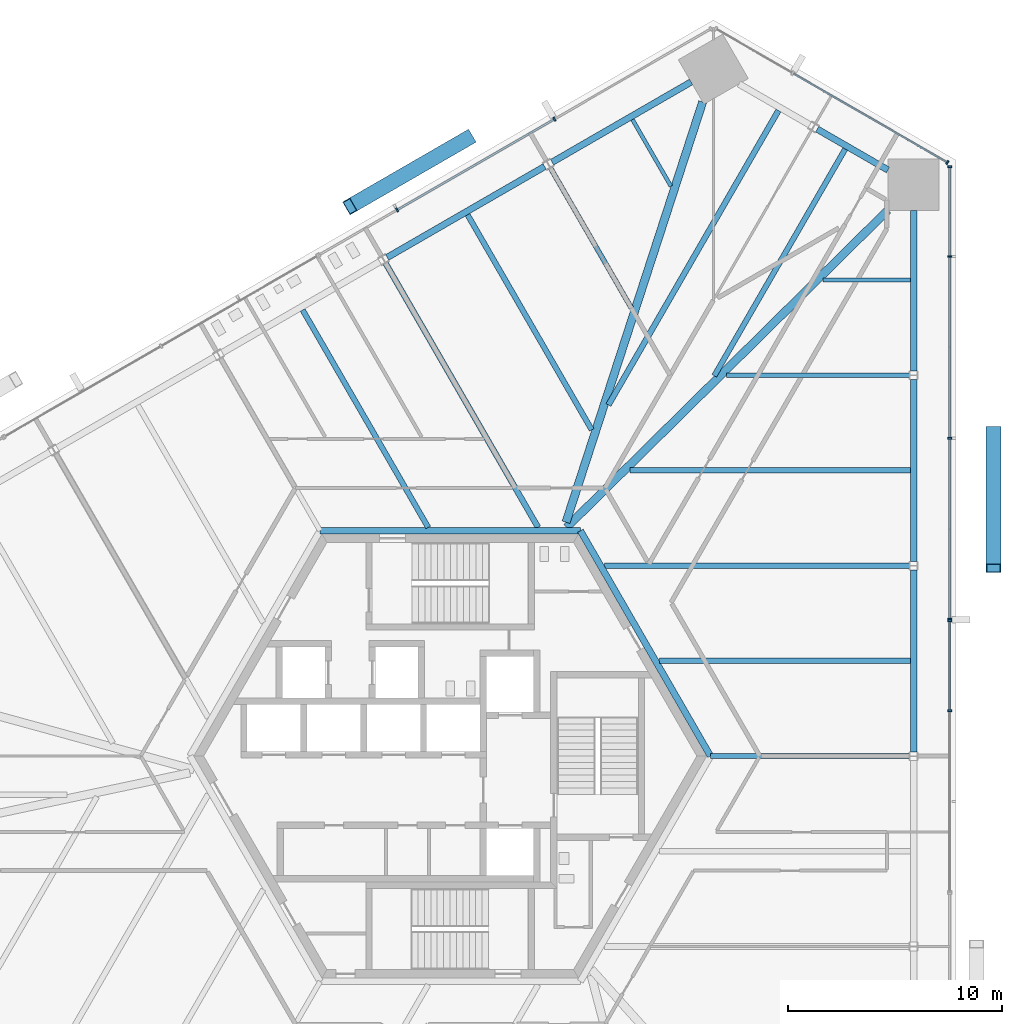
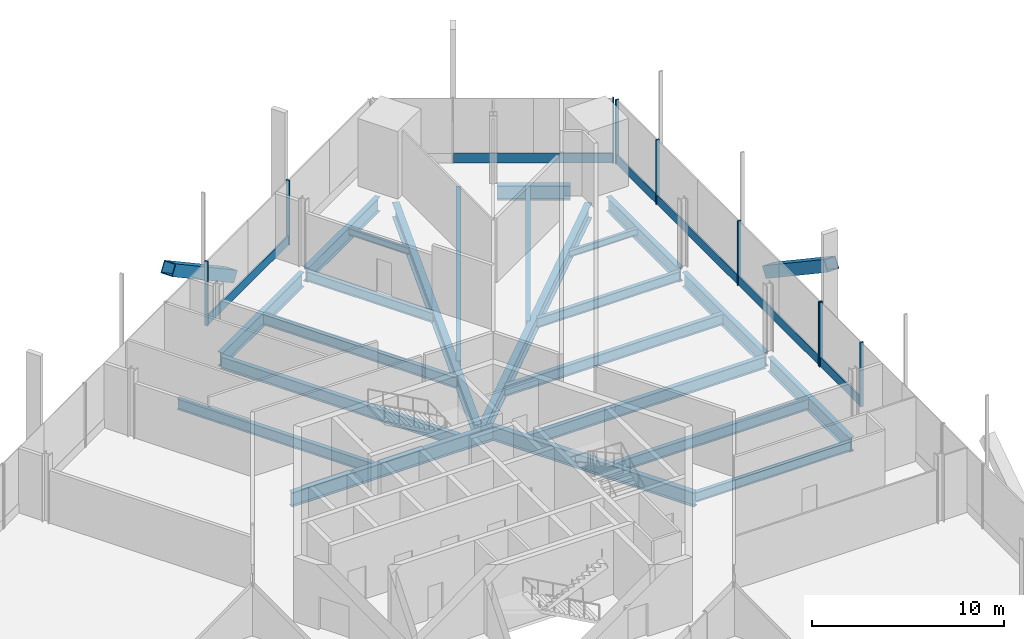
# One storey, part 7 of 19: 23 beams, 17 members, 4 elements without a shape of their own.
"""IFC4 building model written with IfcOpenShell, lengths in metres."""

from ifc_helpers import new_model, si_unit, direction, frame, origin, origin_2d, place, context, subcontext, project, spatial, rectangle, hollow_rectangle, i_section, extrude, source, transform, mapped, material, material_profile, profile_set, type_object, element, aggregate, save


model = new_model("IFC4")

# Units and contexts
model_context = context("Model", 3, precision=1e-05, world=origin(), true_north=direction((0.0, 1.0)))
body_context = subcontext(model_context, "Body", "Model", "MODEL_VIEW")
ifc_project = project(units=[si_unit("LENGTHUNIT", "METRE"), si_unit("AREAUNIT", "SQUARE_METRE"), si_unit("VOLUMEUNIT", "CUBIC_METRE"), si_unit("PLANEANGLEUNIT", "RADIAN"), si_unit("MASSUNIT", "GRAM", prefix="KILO")], contexts=[model_context])

# Site, building, storey
site_placement = place(None, origin())
site = spatial("IfcSite", under=ifc_project, at=site_placement, CompositionType="ELEMENT")
building_placement = place(site_placement, origin())
building = spatial("IfcBuilding", under=site, at=building_placement, Name="Triune Harvest Tower", CompositionType="ELEMENT")
storey_placement = place(building_placement, frame((0.0, 0.0, 24.60009765625)))
storey = spatial("IfcBuildingStorey", under=building, at=storey_placement, Name="L05", CompositionType="ELEMENT", Elevation=24.60009765625)

# Beams
ifc_material_1 = material(Name="Steel ASTM A992 Gr 50", Category="steel")
ifc_material_profile_1 = material_profile(ifc_material_1, i_section(OverallWidth=0.3046875, OverallDepth=0.914306640625, WebThickness=0.0166015625, FlangeThickness=0.02587890625, at=origin_2d()), Name="W36x160")
ifc_profile_set_1 = profile_set([ifc_material_profile_1], Name="Steel ASTM A992 Gr 50")
beam_type_1 = type_object("IfcBeamType", Name="CG-1 Core ring girder W36x160", PredefinedType="BEAM", material=ifc_profile_set_1)
shared_shape_1 = source(origin(), body_context, "Body", "SweptSolid", [
    extrude(i_section(OverallWidth=0.3046875, OverallDepth=0.914306640625, WebThickness=0.0166015625, FlangeThickness=0.02587890625, at=origin_2d()), origin(), (0.0, 0.0, 1.0), 12.176025390625),
])
beam_1_placement = place(storey_placement, frame((12.176025390625, 0.0, -0.6572265625), z_axis=(-0.5000099932, 0.866019634131, 0.0), x_axis=(-0.866019634131, -0.5000099932, 0.0)))
element("IfcBeam", 1, at=beam_1_placement, inside=storey, type_object=beam_type_1, Name="beam/L05/CG1", PredefinedType="BEAM", context=body_context, shape_type="MappedRepresentation", body=[
    mapped(shared_shape_1, transform((0.0, 0.0, 0.0), scale=1.0)),
])
shared_shape_2 = source(origin(), body_context, "Body", "SweptSolid", [
    extrude(i_section(OverallWidth=0.3046875, OverallDepth=0.914306640625, WebThickness=0.0166015625, FlangeThickness=0.02587890625, at=origin_2d()), origin(), (0.0, 0.0, 1.0), 12.17578125),
])
beam_2_placement = place(storey_placement, frame((6.087890625, 10.544677734375, -0.6572265625), z_axis=(-1.0, 0.0, 0.0), x_axis=(0.0, -1.0, 0.0)))
element("IfcBeam", 2, at=beam_2_placement, inside=storey, type_object=beam_type_1, Name="beam/L05/CG2", PredefinedType="BEAM", context=body_context, shape_type="MappedRepresentation", body=[
    mapped(shared_shape_2, transform((0.0, 0.0, 0.0), scale=1.0)),
])
ifc_material_2 = material(Name="Steel ASTM A992 Gr 50", Category="steel")
ifc_material_profile_2 = material_profile(ifc_material_2, i_section(OverallWidth=0.383544921875, OverallDepth=0.9423828125, WebThickness=0.022216796875, FlangeThickness=0.039794921875, at=origin_2d()), Name="W36x232")
ifc_profile_set_2 = profile_set([ifc_material_profile_2], Name="Steel ASTM A992 Gr 50")
beam_type_2 = type_object("IfcBeamType", Name="HG-1 Hip girder W36x232", PredefinedType="BEAM", material=ifc_profile_set_2)
shared_shape_3 = source(origin(), body_context, "Body", "SweptSolid", [
    extrude(i_section(OverallWidth=0.383544921875, OverallDepth=0.9423828125, WebThickness=0.022216796875, FlangeThickness=0.039794921875, at=origin_2d()), origin(), (0.0, 0.0, 1.0), 21.132568359375),
])
beam_3_placement = place(storey_placement, frame((20.4794921875, 25.545166015625, -0.67138671875), z_axis=(-0.711563602244, -0.7026216905, 0.0), x_axis=(0.7026216905, -0.711563602244, 0.0)))
element("IfcBeam", 3, at=beam_3_placement, inside=storey, type_object=beam_type_2, Name="beam/L05/HG2", PredefinedType="BEAM", context=body_context, shape_type="MappedRepresentation", body=[
    mapped(shared_shape_3, transform((0.0, 0.0, 0.0), scale=1.0)),
])
shared_shape_4 = source(origin(), body_context, "Body", "SweptSolid", [
    extrude(i_section(OverallWidth=0.383544921875, OverallDepth=0.9423828125, WebThickness=0.022216796875, FlangeThickness=0.039794921875, at=origin_2d()), origin(), (0.0, 0.0, 1.0), 20.676025390625),
])
beam_4_placement = place(storey_placement, frame((11.809814453125, 30.6044921875, -0.67138671875), z_axis=(-0.309191000288, -0.950999960747, 0.0), x_axis=(0.950999960747, -0.309191000288, 0.0)))
element("IfcBeam", 4, at=beam_4_placement, inside=storey, type_object=beam_type_2, Name="beam/L05/HG3", PredefinedType="BEAM", context=body_context, shape_type="MappedRepresentation", body=[
    mapped(shared_shape_4, transform((0.0, 0.0, 0.0), scale=1.0)),
])
ifc_material_3 = material(Name="Steel ASTM A992 Gr 50", Category="steel")
ifc_material_profile_3 = material_profile(ifc_material_3, i_section(OverallWidth=0.2666015625, OverallDepth=0.7568359375, WebThickness=0.013916015625, FlangeThickness=0.019287109375, at=origin_2d()), Name="W30x108")
ifc_profile_set_3 = profile_set([ifc_material_profile_3], Name="Steel ASTM A992 Gr 50")
beam_type_3 = type_object("IfcBeamType", Name="JT-5 Floor joist W30x108", PredefinedType="JOIST", material=ifc_profile_set_3)
shared_shape_5 = source(origin(), body_context, "Body", "SweptSolid", [
    extrude(i_section(OverallWidth=0.2666015625, OverallDepth=0.7568359375, WebThickness=0.013916015625, FlangeThickness=0.019287109375, at=origin_2d()), origin(), (0.0, 0.0, 1.0), 14.2685546875),
])
for number, where, z_axis, x_axis, name in (
    (5, (21.476318359375, 8.909912109375, -0.57861328125), (-1.0, 0.0, 0.0), (0.0, -1.0, 0.0), "beam/L05/JT8"),
    (6, (-3.02197265625, 23.053955078125, -0.57861328125), (0.499999916269, -0.866025452127, 0.0), (0.866025452127, 0.499999916269, 0.0), "beam/L05/JT17"),
):
    element("IfcBeam", number, at=place(storey_placement, frame(where, z_axis=z_axis, x_axis=x_axis)), inside=storey, type_object=beam_type_3, Name=name, PredefinedType="JOIST", context=body_context, shape_type="MappedRepresentation", body=[
        mapped(shared_shape_5, transform((0.0, 0.0, 0.0), scale=1.0)),
    ])
ifc_material_4 = material(Name="Steel ASTM A992 Gr 50", Category="steel")
ifc_material_profile_4 = material_profile(ifc_material_4, i_section(OverallWidth=0.22900390625, OverallDepth=0.612060546875, WebThickness=0.011962890625, FlangeThickness=0.01953125, at=origin_2d()), Name="W24x84")
ifc_profile_set_4 = profile_set([ifc_material_profile_4], Name="Steel ASTM A992 Gr 50")
beam_type_4 = type_object("IfcBeamType", Name="JT-3 Floor joist W24x84", PredefinedType="JOIST", material=ifc_profile_set_4)
shared_shape_6 = source(origin(), body_context, "Body", "SweptSolid", [
    extrude(i_section(OverallWidth=0.22900390625, OverallDepth=0.612060546875, WebThickness=0.011962890625, FlangeThickness=0.01953125, at=origin_2d()), origin(), (0.0, 0.0, 1.0), 9.30029296875),
])
beam_5_placement = place(storey_placement, frame((21.476318359375, 0.0, -0.506103515625), z_axis=(-1.0, 0.0, 0.0), x_axis=(0.0, -1.0, 0.0)))
element("IfcBeam", 7, at=beam_5_placement, inside=storey, type_object=beam_type_4, Name="beam/L05/JT6", PredefinedType="JOIST", context=body_context, shape_type="MappedRepresentation", body=[
    mapped(shared_shape_6, transform((0.0, 0.0, 0.0), scale=1.0)),
])
shared_shape_7 = source(origin(), body_context, "Body", "SweptSolid", [
    extrude(i_section(OverallWidth=0.22900390625, OverallDepth=0.612060546875, WebThickness=0.011962890625, FlangeThickness=0.01953125, at=origin_2d()), origin(), (0.0, 0.0, 1.0), 8.54736328125),
])
beam_6_placement = place(storey_placement, frame((21.476318359375, 17.820068359375, -0.506103515625), z_axis=(-1.0, 0.0, 0.0), x_axis=(0.0, -1.0, 0.0)))
element("IfcBeam", 8, at=beam_6_placement, inside=storey, type_object=beam_type_4, Name="beam/L05/JT10", PredefinedType="JOIST", context=body_context, shape_type="MappedRepresentation", body=[
    mapped(shared_shape_7, transform((0.0, 0.0, 0.0), scale=1.0)),
])
shared_shape_8 = source(origin(), body_context, "Body", "SweptSolid", [
    extrude(i_section(OverallWidth=0.22900390625, OverallDepth=0.612060546875, WebThickness=0.011962890625, FlangeThickness=0.01953125, at=origin_2d()), origin(), (0.0, 0.0, 1.0), 7.55859375),
])
beam_7_placement = place(storey_placement, frame((4.6943359375, 27.509033203125, -0.506103515625), z_axis=(0.500002049001, -0.86602422079, 0.0), x_axis=(0.86602422079, 0.500002049001, 0.0)))
element("IfcBeam", 9, at=beam_7_placement, inside=storey, type_object=beam_type_4, Name="beam/L05/JT15", PredefinedType="JOIST", context=body_context, shape_type="MappedRepresentation", body=[
    mapped(shared_shape_8, transform((0.0, 0.0, 0.0), scale=1.0)),
])
ifc_material_5 = material(Name="Steel ASTM A992 Gr 50", Category="steel")
ifc_material_profile_5 = material_profile(ifc_material_5, i_section(OverallWidth=0.3046875, OverallDepth=0.914306640625, WebThickness=0.0166015625, FlangeThickness=0.02587890625, at=origin_2d()), Name="W36x160")
ifc_profile_set_5 = profile_set([ifc_material_profile_5], Name="Steel ASTM A992 Gr 50")
beam_type_5 = type_object("IfcBeamType", Name="SB-1 Spandrel beam W36x160", PredefinedType="SPANDREL", material=ifc_profile_set_5)
shared_shape_9 = source(origin(), body_context, "Body", "SweptSolid", [
    extrude(i_section(OverallWidth=0.3046875, OverallDepth=0.914306640625, WebThickness=0.0166015625, FlangeThickness=0.02587890625, at=origin_2d()), origin(), (0.0, 0.0, 1.0), 7.508056640625),
])
beam_8_placement = place(storey_placement, frame((21.679443359375, 18.02197265625, -0.6572265625), z_axis=(0.0, 1.0, 0.0), x_axis=(-1.0, 0.0, 0.0)))
element("IfcBeam", 10, at=beam_8_placement, inside=storey, type_object=beam_type_5, Name="beam/L05/SB6", PredefinedType="SPANDREL", context=body_context, shape_type="MappedRepresentation", body=[
    mapped(shared_shape_9, transform((0.0, 0.0, 0.0), scale=1.0)),
])
shared_shape_10 = source(origin(), body_context, "Body", "SweptSolid", [
    extrude(i_section(OverallWidth=0.3046875, OverallDepth=0.914306640625, WebThickness=0.0166015625, FlangeThickness=0.02587890625, at=origin_2d()), origin(), (0.0, 0.0, 1.0), 8.50634765625),
])
beam_9_placement = place(storey_placement, frame((21.679443359375, 9.11181640625, -0.6572265625), z_axis=(0.0, 1.0, 0.0), x_axis=(-1.0, 0.0, 0.0)))
element("IfcBeam", 11, at=beam_9_placement, inside=storey, type_object=beam_type_5, Name="beam/L05/SB5", PredefinedType="SPANDREL", context=body_context, shape_type="MappedRepresentation", body=[
    mapped(shared_shape_10, transform((0.0, 0.0, 0.0), scale=1.0)),
])
shared_shape_11 = source(origin(), body_context, "Body", "SweptSolid", [
    extrude(i_section(OverallWidth=0.3046875, OverallDepth=0.914306640625, WebThickness=0.0166015625, FlangeThickness=0.02587890625, at=origin_2d()), origin(), (0.0, 0.0, 1.0), 8.506103515625),
])
for number, where, z_axis, x_axis, name in (
    (12, (21.679443359375, 0.201904296875, -0.6572265625), (0.0, 1.0, 0.0), (-1.0, 0.0, 0.0), "beam/L05/SB4"),
    (13, (4.41796875, 27.583984375, -0.6572265625), (-0.866030246746, -0.49999161165, 0.0), (0.49999161165, -0.866030246746, 0.0), "beam/L05/SB10"),
):
    element("IfcBeam", number, at=place(storey_placement, frame(where, z_axis=z_axis, x_axis=x_axis)), inside=storey, type_object=beam_type_5, Name=name, PredefinedType="SPANDREL", context=body_context, shape_type="MappedRepresentation", body=[
        mapped(shared_shape_11, transform((0.0, 0.0, 0.0), scale=1.0)),
    ])
shared_shape_12 = source(origin(), body_context, "Body", "SweptSolid", [
    extrude(i_section(OverallWidth=0.3046875, OverallDepth=0.914306640625, WebThickness=0.0166015625, FlangeThickness=0.02587890625, at=origin_2d()), origin(), (0.0, 0.0, 1.0), 3.822265625),
])
beam_10_placement = place(storey_placement, frame((20.4794921875, 27.4228515625, -0.6572265625), z_axis=(-0.866033487859, 0.499985997711, 0.0), x_axis=(-0.499985997711, -0.866033487859, 0.0)))
element("IfcBeam", 14, at=beam_10_placement, inside=storey, type_object=beam_type_5, Name="beam/L05/SB7", PredefinedType="SPANDREL", context=body_context, shape_type="MappedRepresentation", body=[
    mapped(shared_shape_12, transform((0.0, 0.0, 0.0), scale=1.0)),
])
shared_shape_13 = source(origin(), body_context, "Body", "SweptSolid", [
    extrude(i_section(OverallWidth=0.3046875, OverallDepth=0.914306640625, WebThickness=0.0166015625, FlangeThickness=0.02587890625, at=origin_2d()), origin(), (0.0, 0.0, 1.0), 7.50830078125),
])
beam_11_placement = place(storey_placement, frame((11.27001953125, 31.5400390625, -0.6572265625), z_axis=(-0.866027474485, -0.499996413425, 0.0), x_axis=(0.499996413425, -0.866027474485, 0.0)))
element("IfcBeam", 15, at=beam_11_placement, inside=storey, type_object=beam_type_5, Name="beam/L05/SB9", PredefinedType="SPANDREL", context=body_context, shape_type="MappedRepresentation", body=[
    mapped(shared_shape_13, transform((0.0, 0.0, 0.0), scale=1.0)),
])
ifc_material_6 = material(Name="Steel ASTM A992 Gr 50", Category="steel")
ifc_material_profile_6 = material_profile(ifc_material_6, i_section(OverallWidth=0.180908203125, OverallDepth=0.41650390625, WebThickness=0.010986328125, FlangeThickness=0.01806640625, at=origin_2d()), Name="W16x57")
ifc_profile_set_6 = profile_set([ifc_material_profile_6], Name="Steel ASTM A992 Gr 50")
beam_type_6 = type_object("IfcBeamType", Name="JT-1 Floor joist W16x57", PredefinedType="JOIST", material=ifc_profile_set_6)
shared_shape_14 = source(origin(), body_context, "Body", "SweptSolid", [
    extrude(i_section(OverallWidth=0.180908203125, OverallDepth=0.41650390625, WebThickness=0.010986328125, FlangeThickness=0.01806640625, at=origin_2d()), origin(), (0.0, 0.0, 1.0), 3.599365234375),
])
beam_12_placement = place(storey_placement, frame((8.527099609375, 29.780517578125, -0.408447265625), z_axis=(0.50001992892, -0.866013897511, 0.0), x_axis=(0.866013897511, 0.50001992892, 0.0)))
element("IfcBeam", 16, at=beam_12_placement, inside=storey, type_object=beam_type_6, Name="beam/L05/JT14", PredefinedType="JOIST", context=body_context, shape_type="MappedRepresentation", body=[
    mapped(shared_shape_14, transform((0.0, 0.0, 0.0), scale=1.0)),
])
ifc_material_7 = material(Name="Steel ASTM A992 Gr 50", Category="steel")
ifc_material_profile_7 = material_profile(ifc_material_7, i_section(OverallWidth=0.253662109375, OverallDepth=0.683349609375, WebThickness=0.012451171875, FlangeThickness=0.01904296875, at=origin_2d()), Name="W27x94")
ifc_profile_set_7 = profile_set([ifc_material_profile_7], Name="Steel ASTM A992 Gr 50")
beam_type_7 = type_object("IfcBeamType", Name="JT-4 Floor joist W27x94", PredefinedType="JOIST", material=ifc_profile_set_7)
shared_shape_15 = source(origin(), body_context, "Body", "SweptSolid", [
    extrude(i_section(OverallWidth=0.253662109375, OverallDepth=0.683349609375, WebThickness=0.012451171875, FlangeThickness=0.01904296875, at=origin_2d()), origin(), (0.0, 0.0, 1.0), 11.747314453125),
])
beam_13_placement = place(storey_placement, frame((21.527099609375, 4.455078125, -0.541748046875), z_axis=(-1.0, 0.0, 0.0), x_axis=(0.0, -1.0, 0.0)))
element("IfcBeam", 17, at=beam_13_placement, inside=storey, type_object=beam_type_7, Name="beam/L05/JT7", PredefinedType="JOIST", context=body_context, shape_type="MappedRepresentation", body=[
    mapped(shared_shape_15, transform((0.0, 0.0, 0.0), scale=1.0)),
])
shared_shape_16 = source(origin(), body_context, "Body", "SweptSolid", [
    extrude(i_section(OverallWidth=0.253662109375, OverallDepth=0.683349609375, WebThickness=0.012451171875, FlangeThickness=0.01904296875, at=origin_2d()), origin(), (0.0, 0.0, 1.0), 13.110107421875),
])
beam_14_placement = place(storey_placement, frame((21.527099609375, 13.364990234375, -0.541748046875), z_axis=(-1.0, 0.0, 0.0), x_axis=(0.0, -1.0, 0.0)))
element("IfcBeam", 18, at=beam_14_placement, inside=storey, type_object=beam_type_7, Name="beam/L05/JT9", PredefinedType="JOIST", context=body_context, shape_type="MappedRepresentation", body=[
    mapped(shared_shape_16, transform((0.0, 0.0, 0.0), scale=1.0)),
])
shared_shape_17 = source(origin(), body_context, "Body", "SweptSolid", [
    extrude(i_section(OverallWidth=0.180908203125, OverallDepth=0.41650390625, WebThickness=0.010986328125, FlangeThickness=0.01806640625, at=origin_2d()), origin(), (0.0, 0.0, 1.0), 4.08642578125),
])
beam_15_placement = place(storey_placement, frame((21.527099609375, 22.27490234375, -0.408447265625), z_axis=(-1.0, 0.0, 0.0), x_axis=(0.0, -1.0, 0.0)))
element("IfcBeam", 19, at=beam_15_placement, inside=storey, type_object=beam_type_6, Name="beam/L05/JT11", PredefinedType="JOIST", context=body_context, shape_type="MappedRepresentation", body=[
    mapped(shared_shape_17, transform((0.0, 0.0, 0.0), scale=1.0)),
])
shared_shape_18 = source(origin(), body_context, "Body", "SweptSolid", [
    extrude(i_section(OverallWidth=0.253662109375, OverallDepth=0.683349609375, WebThickness=0.012451171875, FlangeThickness=0.01904296875, at=origin_2d()), origin(), (0.0, 0.0, 1.0), 12.2509765625),
])
beam_16_placement = place(storey_placement, frame((18.479736328125, 28.4013671875, -0.541748046875), z_axis=(-0.500001335473, -0.866024632748, 0.0), x_axis=(0.866024632748, -0.500001335473, 0.0)))
element("IfcBeam", 20, at=beam_16_placement, inside=storey, type_object=beam_type_7, Name="beam/L05/JT12", PredefinedType="JOIST", context=body_context, shape_type="MappedRepresentation", body=[
    mapped(shared_shape_18, transform((0.0, 0.0, 0.0), scale=1.0)),
])
shared_shape_19 = source(origin(), body_context, "Body", "SweptSolid", [
    extrude(i_section(OverallWidth=0.2666015625, OverallDepth=0.7568359375, WebThickness=0.013916015625, FlangeThickness=0.019287109375, at=origin_2d()), origin(), (0.0, 0.0, 1.0), 15.90771484375),
])
beam_17_placement = place(storey_placement, frame((15.3564453125, 30.20458984375, -0.57861328125), z_axis=(-0.500003211559, -0.866023549582, 0.0), x_axis=(0.866023549582, -0.500003211559, 0.0)))
element("IfcBeam", 21, at=beam_17_placement, inside=storey, type_object=beam_type_3, Name="beam/L05/JT13", PredefinedType="JOIST", context=body_context, shape_type="MappedRepresentation", body=[
    mapped(shared_shape_19, transform((0.0, 0.0, 0.0), scale=1.0)),
])
shared_shape_20 = source(origin(), body_context, "Body", "SweptSolid", [
    extrude(i_section(OverallWidth=0.253662109375, OverallDepth=0.683349609375, WebThickness=0.012451171875, FlangeThickness=0.01904296875, at=origin_2d()), origin(), (0.0, 0.0, 1.0), 11.618896484375),
])
beam_18_placement = place(storey_placement, frame((0.810791015625, 25.325439453125, -0.541748046875), z_axis=(0.500008015982, -0.866020775706, 0.0), x_axis=(0.866020775706, 0.500008015982, 0.0)))
element("IfcBeam", 22, at=beam_18_placement, inside=storey, type_object=beam_type_7, Name="beam/L05/JT16", PredefinedType="JOIST", context=body_context, shape_type="MappedRepresentation", body=[
    mapped(shared_shape_20, transform((0.0, 0.0, 0.0), scale=1.0)),
])
shared_shape_21 = source(origin(), body_context, "Body", "SweptSolid", [
    extrude(i_section(OverallWidth=0.253662109375, OverallDepth=0.683349609375, WebThickness=0.012451171875, FlangeThickness=0.01904296875, at=origin_2d()), origin(), (0.0, 0.0, 1.0), 11.74755859375),
])
beam_19_placement = place(storey_placement, frame((-6.905517578125, 20.87060546875, -0.541748046875), z_axis=(0.500003693016, -0.86602327161, 0.0), x_axis=(0.86602327161, 0.500003693016, 0.0)))
element("IfcBeam", 23, at=beam_19_placement, inside=storey, type_object=beam_type_7, Name="beam/L05/JT18", PredefinedType="JOIST", context=body_context, shape_type="MappedRepresentation", body=[
    mapped(shared_shape_21, transform((0.0, 0.0, 0.0), scale=1.0)),
])

# Members
ifc_material_8 = material(Name="Steel ASTM A572 Gr 50", Category="steel")
ifc_material_profile_8 = material_profile(ifc_material_8, hollow_rectangle(XDim=0.699951171875, YDim=0.699951171875, WallThickness=0.0400390625, at=origin_2d()), Name="Box 700x700x40")
ifc_profile_set_8 = profile_set([ifc_material_profile_8], Name="Steel ASTM A572 Gr 50")
member_type_1 = type_object("IfcMemberType", Name="BR-1 Brace Box 700x700x40", PredefinedType="BRACE", material=ifc_profile_set_8)
shared_shape_22 = source(origin(), body_context, "Body", "SweptSolid", [
    extrude(hollow_rectangle(XDim=0.699951171875, YDim=0.699951171875, WallThickness=0.0400390625, at=origin_2d()), origin(), (0.0, 0.0, 1.0), 7.728515625),
])
for number, where, z_axis, x_axis, name in (
    (24, (25.42138671875, 15.215576171875, 0.0), (0.0, -0.830940557942, 0.556361203866), (1.0, 0.0, 0.0), "brace/B1-F1/d2/3"),
    (25, (0.8662109375, 28.930419921875, 0.0), (-0.719616664562, -0.41546963882, 0.556360346631), (0.499998884236, -0.86602604797, 0.0), "brace/B1-F3/d1/3"),
):
    element("IfcMember", number, at=place(storey_placement, frame(where, z_axis=z_axis, x_axis=x_axis)), inside=storey, type_object=member_type_1, Name=name, PredefinedType="BRACE", context=body_context, shape_type="MappedRepresentation", body=[
        mapped(shared_shape_22, transform((0.0, 0.0, 0.0), scale=1.0)),
    ])

# Curtain wall, member
ifc_material_9 = material(Name="Aluminium bronze anodised", Category="aluminium")
curtain_wall_type_1 = type_object("IfcCurtainWallType", Name="CW-3 Farm floor curtain wall", PredefinedType="NOTDEFINED", material=ifc_material_9)
curtain_wall_1_placement = place(storey_placement, origin())
curtain_wall_1 = element("IfcCurtainWall", 26, at=curtain_wall_1_placement, inside=storey, type_object=curtain_wall_type_1, Name="CW-3 B1-F2 L05 run 1")
ifc_material_10 = material(Name="Aluminium bronze anodised", Category="aluminium")
ifc_material_profile_9 = material_profile(ifc_material_10, rectangle(XDim=0.090087890625, YDim=0.60009765625, at=origin_2d()), Name="TR-3 transom 90 x 600")
ifc_profile_set_9 = profile_set([ifc_material_profile_9], Name="Aluminium bronze anodised")
member_type_2 = type_object("IfcMemberType", Name="TR-3 transom 90 x 600", PredefinedType="USERDEFINED", material=ifc_profile_set_9)
shared_shape_23 = source(origin(), body_context, "Body", "SweptSolid", [
    extrude(rectangle(XDim=0.090087890625, YDim=0.60009765625, at=origin_2d()), origin(), (0.0, 0.0, 1.0), 8.27587890625),
])
member_1_placement = place(storey_placement, frame((23.22412109375, 27.791748046875, 0.2998046875), z_axis=(-0.866021501281, 0.500006759273, 0.0), x_axis=(-0.500006759273, -0.866021501281, 0.0)))
member_1 = element("IfcMember", 27, at=member_1_placement, type_object=member_type_2, Name="CW-3 transom B1-F2 1.1", ObjectType="TRANSOM", PredefinedType="USERDEFINED", context=body_context, shape_type="MappedRepresentation", body=[
    mapped(shared_shape_23, transform((0.0, 0.0, 0.0), scale=1.0)),
])

# Curtain wall, members
curtain_wall_2_placement = place(storey_placement, origin())
curtain_wall_2 = element("IfcCurtainWall", 28, at=curtain_wall_2_placement, inside=storey, type_object=curtain_wall_type_1, Name="CW-3 B1-F1 L05 run 1001")
ifc_material_11 = material(Name="Aluminium bronze anodised", Category="aluminium")
ifc_material_profile_10 = material_profile(ifc_material_11, rectangle(XDim=0.199951171875, YDim=0.080078125, at=origin_2d()), Name="MU-3 mullion 80 x 200")
ifc_profile_set_10 = profile_set([ifc_material_profile_10], Name="Aluminium bronze anodised")
member_type_3 = type_object("IfcMemberType", Name="MU-3 mullion 80 x 200", PredefinedType="MULLION", material=ifc_profile_set_10)
shared_shape_24 = source(origin(), body_context, "Body", "SweptSolid", [
    extrude(rectangle(XDim=0.199951171875, YDim=0.080078125, at=origin_2d()), origin(), (0.0, 0.0, 1.0), 4.099853515625),
])
member_2_placement = place(storey_placement, frame((23.371337890625, 2.124267578125, 0.0), z_axis=(0.0, 0.0, 1.0), x_axis=(-1.0, 0.0, 0.0)))
member_2 = element("IfcMember", 29, at=member_2_placement, type_object=member_type_3, Name="CW-3 mullion B1-F1 1001.3", PredefinedType="MULLION", context=body_context, shape_type="MappedRepresentation", body=[
    mapped(shared_shape_24, transform((0.0, 0.0, 0.0), scale=1.0)),
])
member_3_placement = place(storey_placement, frame((23.371337890625, 6.3330078125, 0.0), z_axis=(0.0, 0.0, 1.0), x_axis=(-1.0, 0.0, 0.0)))
member_3 = element("IfcMember", 30, at=member_3_placement, type_object=member_type_3, Name="CW-3 mullion B1-F1 1001.4", PredefinedType="MULLION", context=body_context, shape_type="MappedRepresentation", body=[
    mapped(shared_shape_24, transform((0.0, 0.0, 0.0), scale=1.0)),
])

ifc_material_12 = material(Name="Aluminium bronze anodised", Category="aluminium")
curtain_wall_type_2 = type_object("IfcCurtainWallType", Name="CW-8 Farm floor curtain wall with insulated spandrel infill", PredefinedType="NOTDEFINED", material=ifc_material_12)
curtain_wall_3_placement = place(storey_placement, origin())
curtain_wall_3 = element("IfcCurtainWall", 31, at=curtain_wall_3_placement, inside=storey, type_object=curtain_wall_type_2, Name="CW-8 B1-F1 L05 run 2001")
member_4_placement = place(storey_placement, frame((23.371337890625, 6.4130859375, 0.0), z_axis=(0.0, 0.0, 1.0), x_axis=(-1.0, 0.0, 0.0)))
member_4 = element("IfcMember", 32, at=member_4_placement, type_object=member_type_3, Name="CW-8 mullion B1-F1 2001.1", PredefinedType="MULLION", context=body_context, shape_type="MappedRepresentation", body=[
    mapped(shared_shape_24, transform((0.0, 0.0, 0.0), scale=1.0)),
])
member_5_placement = place(storey_placement, frame((23.371337890625, 14.87060546875, 0.0), z_axis=(0.0, 0.0, 1.0), x_axis=(-1.0, 0.0, 0.0)))
member_5 = element("IfcMember", 33, at=member_5_placement, type_object=member_type_3, Name="CW-8 mullion B1-F1 2001.3", PredefinedType="MULLION", context=body_context, shape_type="MappedRepresentation", body=[
    mapped(shared_shape_24, transform((0.0, 0.0, 0.0), scale=1.0)),
])
member_6_placement = place(storey_placement, frame((23.371337890625, 23.3681640625, 0.0), z_axis=(0.0, 0.0, 1.0), x_axis=(-1.0, 0.0, 0.0)))
member_6 = element("IfcMember", 34, at=member_6_placement, type_object=member_type_3, Name="CW-8 mullion B1-F1 2001.5", PredefinedType="MULLION", context=body_context, shape_type="MappedRepresentation", body=[
    mapped(shared_shape_24, transform((0.0, 0.0, 0.0), scale=1.0)),
])
member_7_placement = place(storey_placement, frame((23.371337890625, 27.576904296875, 0.0), z_axis=(0.0, 0.0, 1.0), x_axis=(-1.0, 0.0, 0.0)))
member_7 = element("IfcMember", 35, at=member_7_placement, type_object=member_type_3, Name="CW-8 mullion B1-F1 2001.6", PredefinedType="MULLION", context=body_context, shape_type="MappedRepresentation", body=[
    mapped(shared_shape_24, transform((0.0, 0.0, 0.0), scale=1.0)),
])

# Member
member_8_placement = place(storey_placement, frame((23.2587890625, 27.771728515625, 0.0), z_axis=(0.0, 0.0, 1.0), x_axis=(-0.499998715149, -0.866026145592, 0.0)))
member_8 = element("IfcMember", 36, at=member_8_placement, type_object=member_type_3, Name="CW-3 mullion B1-F2 1.1", PredefinedType="MULLION", context=body_context, shape_type="MappedRepresentation", body=[
    mapped(shared_shape_24, transform((0.0, 0.0, 0.0), scale=1.0)),
])

aggregate(curtain_wall_1, [member_8, member_1])

# Curtain wall, members
curtain_wall_4_placement = place(storey_placement, origin())
curtain_wall_4 = element("IfcCurtainWall", 37, at=curtain_wall_4_placement, inside=storey, type_object=curtain_wall_type_2, Name="CW-8 B1-F3 L05 run 1")
member_9_placement = place(storey_placement, frame((4.8720703125, 29.7998046875, 0.0), z_axis=(0.0, 0.0, 1.0), x_axis=(0.499998768415, -0.866026114839, 0.0)))
member_9 = element("IfcMember", 38, at=member_9_placement, type_object=member_type_3, Name="CW-8 mullion B1-F3 1.3", PredefinedType="MULLION", context=body_context, shape_type="MappedRepresentation", body=[
    mapped(shared_shape_24, transform((0.0, 0.0, 0.0), scale=1.0)),
])
member_10_placement = place(storey_placement, frame((-2.48681640625, 25.55126953125, 0.0), z_axis=(0.0, 0.0, 1.0), x_axis=(0.499998768415, -0.866026114839, 0.0)))
member_10 = element("IfcMember", 39, at=member_10_placement, type_object=member_type_3, Name="CW-8 mullion B1-F3 1.5", PredefinedType="MULLION", context=body_context, shape_type="MappedRepresentation", body=[
    mapped(shared_shape_24, transform((0.0, 0.0, 0.0), scale=1.0)),
])

# Member
shared_shape_25 = source(origin(), body_context, "Body", "SweptSolid", [
    extrude(rectangle(XDim=0.090087890625, YDim=0.60009765625, at=origin_2d()), origin(), (0.0, 0.0, 1.0), 8.37744140625),
])
member_11_placement = place(storey_placement, frame((23.371337890625, 6.453125, 0.2998046875), z_axis=(0.0, 1.0, 0.0), x_axis=(-1.0, 0.0, 0.0)))
member_11 = element("IfcMember", 40, at=member_11_placement, type_object=member_type_2, Name="CW-8 transom B1-F1 2001.1", ObjectType="TRANSOM", PredefinedType="USERDEFINED", context=body_context, shape_type="MappedRepresentation", body=[
    mapped(shared_shape_25, transform((0.0, 0.0, 0.0), scale=1.0)),
])

shared_shape_26 = source(origin(), body_context, "Body", "SweptSolid", [
    extrude(rectangle(XDim=0.090087890625, YDim=0.60009765625, at=origin_2d()), origin(), (0.0, 0.0, 1.0), 8.41748046875),
])
member_12_placement = place(storey_placement, frame((23.371337890625, 14.91064453125, 0.2998046875), z_axis=(0.0, 1.0, 0.0), x_axis=(-1.0, 0.0, 0.0)))
member_12 = element("IfcMember", 41, at=member_12_placement, type_object=member_type_2, Name="CW-8 transom B1-F1 2001.2", ObjectType="TRANSOM", PredefinedType="USERDEFINED", context=body_context, shape_type="MappedRepresentation", body=[
    mapped(shared_shape_26, transform((0.0, 0.0, 0.0), scale=1.0)),
])

shared_shape_27 = source(origin(), body_context, "Body", "SweptSolid", [
    extrude(rectangle(XDim=0.090087890625, YDim=0.60009765625, at=origin_2d()), origin(), (0.0, 0.0, 1.0), 4.12890625),
])
member_13_placement = place(storey_placement, frame((23.371337890625, 2.164306640625, 0.2998046875), z_axis=(0.0, 1.0, 0.0), x_axis=(-1.0, 0.0, 0.0)))
member_13 = element("IfcMember", 42, at=member_13_placement, type_object=member_type_2, Name="CW-3 transom B1-F1 1001.2", ObjectType="TRANSOM", PredefinedType="USERDEFINED", context=body_context, shape_type="MappedRepresentation", body=[
    mapped(shared_shape_27, transform((0.0, 0.0, 0.0), scale=1.0)),
])

aggregate(curtain_wall_2, [member_2, member_3, member_13])

member_14_placement = place(storey_placement, frame((23.371337890625, 23.407958984375, 0.2998046875), z_axis=(0.0, 1.0, 0.0), x_axis=(-1.0, 0.0, 0.0)))
member_14 = element("IfcMember", 43, at=member_14_placement, type_object=member_type_2, Name="CW-8 transom B1-F1 2001.3", ObjectType="TRANSOM", PredefinedType="USERDEFINED", context=body_context, shape_type="MappedRepresentation", body=[
    mapped(shared_shape_27, transform((0.0, 0.0, 0.0), scale=1.0)),
])

aggregate(curtain_wall_3, [member_4, member_5, member_6, member_7, member_11, member_12, member_14])

shared_shape_28 = source(origin(), body_context, "Body", "SweptSolid", [
    extrude(rectangle(XDim=0.090087890625, YDim=0.60009765625, at=origin_2d()), origin(), (0.0, 0.0, 1.0), 8.417236328125),
])
member_15_placement = place(storey_placement, frame((4.83740234375, 29.77978515625, 0.2998046875), z_axis=(-0.866019429705, -0.500010347266, 0.0), x_axis=(0.500010347266, -0.866019429705, 0.0)))
member_15 = element("IfcMember", 44, at=member_15_placement, type_object=member_type_2, Name="CW-8 transom B1-F3 1.2", ObjectType="TRANSOM", PredefinedType="USERDEFINED", context=body_context, shape_type="MappedRepresentation", body=[
    mapped(shared_shape_28, transform((0.0, 0.0, 0.0), scale=1.0)),
])

aggregate(curtain_wall_4, [member_9, member_10, member_15])

save(model, "model.ifc")
